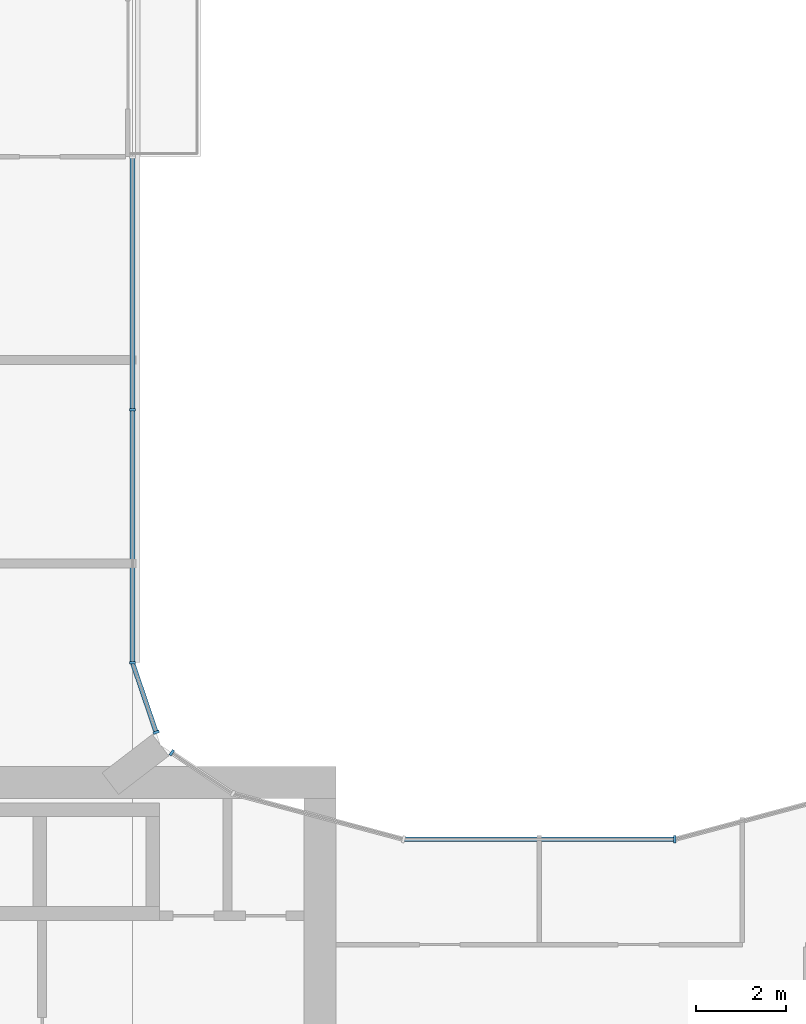
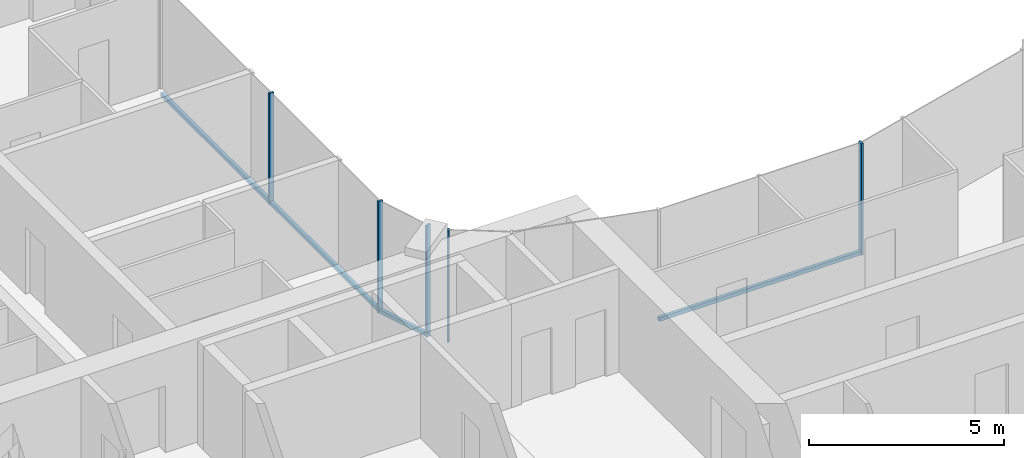
# One storey, part 4 of 23: 8 members, 4 elements without a shape of their own.
"""IFC4 building model written with IfcOpenShell, lengths in metres."""

from ifc_helpers import new_model, si_unit, direction, frame, origin, origin_2d, place, context, subcontext, project, spatial, rectangle, extrude, material, layer, layer_set, material_profile, profile_set, type_object, element, aggregate, save


model = new_model("IFC4")

# Units and contexts
model_context = context("Model", 3, precision=1e-05, world=origin(), true_north=direction((0.0, 1.0)))
body_context = subcontext(model_context, "Body", "Model", "MODEL_VIEW")
ifc_project = project(units=[si_unit("LENGTHUNIT", "METRE"), si_unit("AREAUNIT", "SQUARE_METRE"), si_unit("VOLUMEUNIT", "CUBIC_METRE"), si_unit("PLANEANGLEUNIT", "RADIAN"), si_unit("MASSUNIT", "GRAM", prefix="KILO")], contexts=[model_context])

# Site, building, storey
site_placement = place(None, origin())
site = spatial("IfcSite", under=ifc_project, at=site_placement, CompositionType="ELEMENT")
building_placement = place(site_placement, origin())
building = spatial("IfcBuilding", under=site, at=building_placement, Name="Plateau Cross Towers", CompositionType="ELEMENT")
storey_placement = place(building_placement, frame((0.0, 0.0, 88.800048828125)))
storey = spatial("IfcBuildingStorey", under=building, at=storey_placement, Name="L22", CompositionType="ELEMENT", Elevation=88.800048828125)

# Curtain wall, member
ifc_material_1 = material(Name="Dark low-iron glass", Category="glass")
ifc_layer_1 = layer(ifc_material_1, 0.239990234375)
ifc_layer_set_1 = layer_set([ifc_layer_1], Name="Dark low-iron glass")
curtain_wall_type_1 = type_object("IfcCurtainWallType", Name="Curtain wall flush unitised CW-B", PredefinedType="NOTDEFINED", material=ifc_layer_set_1)
curtain_wall_1_placement = place(storey_placement, origin())
curtain_wall_1 = element("IfcCurtainWall", 1, at=curtain_wall_1_placement, inside=storey, type_object=curtain_wall_type_1, Name="ENV/A/L22/A202_174", PredefinedType="NOTDEFINED")
ifc_material_2 = material(Name="Black anodised aluminium", Category="aluminium")
ifc_material_profile_1 = material_profile(ifc_material_2, rectangle(XDim=0.06005859375, YDim=0.139892578125, at=origin_2d()), Name="MULLION 60x140")
ifc_profile_set_1 = profile_set([ifc_material_profile_1], Name="Black anodised aluminium")
member_type_1 = type_object("IfcMemberType", Name="Mullion 60x140 flush unitised", PredefinedType="MULLION", material=ifc_profile_set_1)
member_1_placement = place(storey_placement, frame((18.86962890625, 18.30908203125, -0.25), z_axis=(0.0, 0.0, 1.0), x_axis=(-0.831521253329, 0.555492938984, 0.0)))
member_1 = element("IfcMember", 2, at=member_1_placement, type_object=member_type_1, Name="CW-B mullion 2", PredefinedType="MULLION", context=body_context, shape_type="SweptSolid", body=[
    extrude(rectangle(XDim=0.06005859375, YDim=0.139892578125, at=origin_2d()), origin(), (0.0, 0.0, 1.0), 3.5),
])
aggregate(curtain_wall_1, [member_1])

curtain_wall_2_placement = place(storey_placement, origin())
curtain_wall_2 = element("IfcCurtainWall", 3, at=curtain_wall_2_placement, inside=storey, type_object=curtain_wall_type_1, Name="ENV/A/L22/A185_188", PredefinedType="NOTDEFINED")
member_2_placement = place(storey_placement, frame((18.523681640625, 18.760009765625, -0.25), z_axis=(0.0, 0.0, 1.0), x_axis=(-0.321469161574, 0.94692004845, 0.0)))
member_2 = element("IfcMember", 4, at=member_2_placement, type_object=member_type_1, Name="CW-B mullion 1", PredefinedType="MULLION", context=body_context, shape_type="SweptSolid", body=[
    extrude(rectangle(XDim=0.06005859375, YDim=0.139892578125, at=origin_2d()), origin(), (0.0, 0.0, 1.0), 3.5),
])

# Curtain wall, members
curtain_wall_3_placement = place(storey_placement, origin())
curtain_wall_3 = element("IfcCurtainWall", 5, at=curtain_wall_3_placement, inside=storey, type_object=curtain_wall_type_1, Name="ENV/A/L22/A180_203", PredefinedType="NOTDEFINED")
member_3_placement = place(storey_placement, frame((18.0, 20.30224609375, -0.25), z_axis=(0.0, 0.0, 1.0), x_axis=(0.0, 1.0, 0.0)))
member_3 = element("IfcMember", 6, at=member_3_placement, type_object=member_type_1, Name="CW-B mullion 1", PredefinedType="MULLION", context=body_context, shape_type="SweptSolid", body=[
    extrude(rectangle(XDim=0.06005859375, YDim=0.139892578125, at=origin_2d()), origin(), (0.0, 0.0, 1.0), 3.5),
])
member_4_placement = place(storey_placement, frame((18.0, 25.896240234375, -0.25), z_axis=(0.0, 0.0, 1.0), x_axis=(0.0, 1.0, 0.0)))
member_4 = element("IfcMember", 7, at=member_4_placement, type_object=member_type_1, Name="CW-B mullion 2", PredefinedType="MULLION", context=body_context, shape_type="SweptSolid", body=[
    extrude(rectangle(XDim=0.06005859375, YDim=0.139892578125, at=origin_2d()), origin(), (0.0, 0.0, 1.0), 3.5),
])

# Curtain wall, member
ifc_layer_2 = layer(ifc_material_1, 0.260009765625)
ifc_layer_set_2 = layer_set([ifc_layer_2], Name="Dark low-iron glass")
curtain_wall_type_2 = type_object("IfcCurtainWallType", Name="Curtain wall fluted unitised CW-A", PredefinedType="NOTDEFINED", material=ifc_layer_set_2)
curtain_wall_4_placement = place(storey_placement, origin())
curtain_wall_4 = element("IfcCurtainWall", 8, at=curtain_wall_4_placement, inside=storey, type_object=curtain_wall_type_2, Name="ENV/A/L22/A300_164", PredefinedType="NOTDEFINED")
ifc_material_profile_2 = material_profile(ifc_material_2, rectangle(XDim=0.06005859375, YDim=0.159912109375, at=origin_2d()), Name="MULLION 60x160")
ifc_profile_set_2 = profile_set([ifc_material_profile_2], Name="Black anodised aluminium")
member_type_2 = type_object("IfcMemberType", Name="Mullion 60x160 fluted unitised", PredefinedType="MULLION", material=ifc_profile_set_2)
member_5_placement = place(storey_placement, frame((30.0, 16.39306640625, -0.25), z_axis=(0.0, 0.0, 1.0), x_axis=(-1.0, 0.0, 0.0)))
member_5 = element("IfcMember", 9, at=member_5_placement, type_object=member_type_2, Name="CW-A mullion 1", PredefinedType="MULLION", context=body_context, shape_type="SweptSolid", body=[
    extrude(rectangle(XDim=0.06005859375, YDim=0.159912109375, at=origin_2d()), origin(), (0.0, 0.0, 1.0), 3.5),
])

# Member
ifc_material_profile_3 = material_profile(ifc_material_2, rectangle(XDim=0.10009765625, YDim=0.1201171875, at=origin_2d()), Name="TRANSOM 100x120")
ifc_profile_set_3 = profile_set([ifc_material_profile_3], Name="Black anodised aluminium")
member_type_3 = type_object("IfcMemberType", Name="Transom 100x120 flush unitised", PredefinedType="USERDEFINED", material=ifc_profile_set_3)
member_6_placement = place(storey_placement, frame((18.523681640625, 18.760009765625, -0.18994140625), z_axis=(-0.321529174838, 0.946899672472, 0.0), x_axis=(-0.946899672472, -0.321529174838, 0.0)))
member_6 = element("IfcMember", 10, at=member_6_placement, type_object=member_type_3, Name="CW-B transom", ObjectType="TRANSOM", PredefinedType="USERDEFINED", context=body_context, shape_type="SweptSolid", body=[
    extrude(rectangle(XDim=0.10009765625, YDim=0.1201171875, at=origin_2d()), origin(), (0.0, 0.0, 1.0), 1.628662109375),
])

aggregate(curtain_wall_2, [member_2, member_6])

member_7_placement = place(storey_placement, frame((18.0, 20.30224609375, -0.18994140625), z_axis=(0.0, 1.0, 0.0), x_axis=(-1.0, 0.0, 0.0)))
member_7 = element("IfcMember", 11, at=member_7_placement, type_object=member_type_3, Name="CW-B transom", ObjectType="TRANSOM", PredefinedType="USERDEFINED", context=body_context, shape_type="SweptSolid", body=[
    extrude(rectangle(XDim=0.10009765625, YDim=0.1201171875, at=origin_2d()), origin(), (0.0, 0.0, 1.0), 11.187744140625),
])

aggregate(curtain_wall_3, [member_3, member_4, member_7])

ifc_material_profile_4 = material_profile(ifc_material_2, rectangle(XDim=0.10009765625, YDim=0.1201171875, at=origin_2d()), Name="TRANSOM 100x120")
ifc_profile_set_4 = profile_set([ifc_material_profile_4], Name="Black anodised aluminium")
member_type_4 = type_object("IfcMemberType", Name="Transom 100x120 fluted unitised", PredefinedType="USERDEFINED", material=ifc_profile_set_4)
member_8_placement = place(storey_placement, frame((30.0, 16.39306640625, -0.18994140625), z_axis=(-1.0, 0.0, 0.0), x_axis=(0.0, -1.0, 0.0)))
member_8 = element("IfcMember", 12, at=member_8_placement, type_object=member_type_4, Name="CW-A transom", ObjectType="TRANSOM", PredefinedType="USERDEFINED", context=body_context, shape_type="SweptSolid", body=[
    extrude(rectangle(XDim=0.10009765625, YDim=0.1201171875, at=origin_2d()), origin(), (0.0, 0.0, 1.0), 6.0),
])

aggregate(curtain_wall_4, [member_5, member_8])

save(model, "model.ifc")
